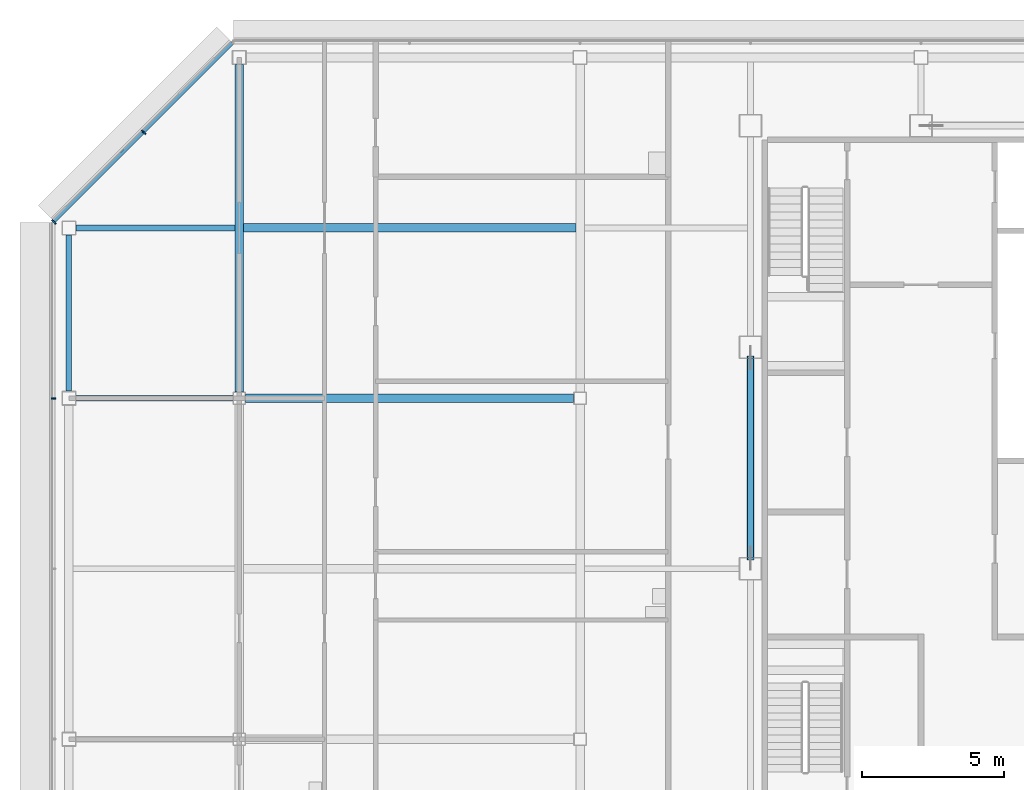
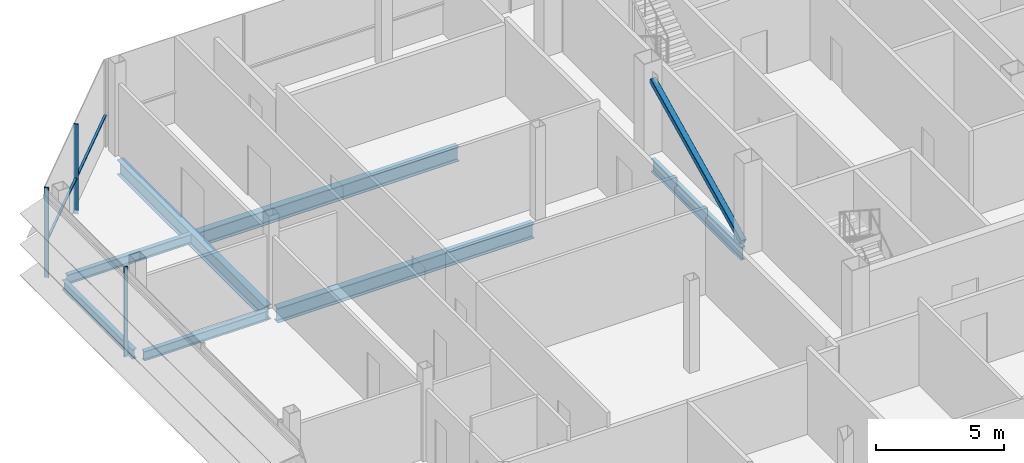
# One storey, part 13 of 29: 7 beams, 5 members, 2 elements without a shape of their own.
"""IFC4 building model written with IfcOpenShell, lengths in metres."""

from ifc_helpers import new_model, si_unit, direction, frame, origin, origin_2d, place, context, subcontext, project, spatial, rectangle, hollow_rectangle, i_section, extrude, material, material_profile, profile_set, type_object, element, aggregate, save


model = new_model("IFC4")

# Units and contexts
model_context = context("Model", 3, precision=1e-05, world=origin(), true_north=direction((0.0, 1.0)))
body_context = subcontext(model_context, "Body", "Model", "MODEL_VIEW")
ifc_project = project(units=[si_unit("LENGTHUNIT", "METRE"), si_unit("AREAUNIT", "SQUARE_METRE"), si_unit("VOLUMEUNIT", "CUBIC_METRE"), si_unit("PLANEANGLEUNIT", "RADIAN"), si_unit("MASSUNIT", "GRAM", prefix="KILO")], contexts=[model_context])

# Site, building, storey
site_placement = place(None, origin())
site = spatial("IfcSite", under=ifc_project, at=site_placement, CompositionType="ELEMENT")
building_placement = place(site_placement, origin())
building = spatial("IfcBuilding", under=site, at=building_placement, Name="Sorahane Residences", CompositionType="ELEMENT")
storey_placement = place(building_placement, frame((0.0, 0.0, 326.800048828125)))
storey = spatial("IfcBuildingStorey", under=building, at=storey_placement, Name="L78", CompositionType="ELEMENT", Elevation=326.800048828125)

# Member
ifc_material_1 = material(Name="Steel Q355B", Category="steel")
ifc_material_profile_1 = material_profile(ifc_material_1, hollow_rectangle(XDim=0.25, YDim=0.25, WallThickness=0.011962890625, InnerFilletRadius=0.006103515625, OuterFilletRadius=0.01806640625, at=origin_2d()), Name="RHS 250x250x12")
ifc_profile_set_1 = profile_set([ifc_material_profile_1], Name="Steel Q355B")
member_type_1 = type_object("IfcMemberType", Name="Core brace RHS 250x250x12 Q355B", PredefinedType="BRACE", material=ifc_profile_set_1)
member_1_placement = place(storey_placement, frame((6.0, 30.3671875, 0.109130859375), z_axis=(0.0, 0.899521071047, 0.436877377238), x_axis=(-1.0, 0.0, 0.0)))
element("IfcMember", 1, at=member_1_placement, inside=storey, type_object=member_type_1, Name="Core brace L78 x6-2", PredefinedType="BRACE", context=body_context, shape_type="SweptSolid", body=[
    extrude(hollow_rectangle(XDim=0.25, YDim=0.25, WallThickness=0.011962890625, InnerFilletRadius=0.006103515625, OuterFilletRadius=0.01806640625, at=origin_2d()), origin(), (0.0, 0.0, 1.0), 7.85498046875),
])

# Curtain wall, member
ifc_material_2 = material(Name="Dark low-e glass and black anodised aluminium", Category="aluminium")
curtain_wall_type_1 = type_object("IfcCurtainWallType", Name="Curtain wall CW-1 Typical unitised wall", PredefinedType="NOTDEFINED", material=ifc_material_2)
curtain_wall_1_placement = place(storey_placement, origin())
curtain_wall_1 = element("IfcCurtainWall", 2, at=curtain_wall_1_placement, inside=storey, type_object=curtain_wall_type_1, Name="CW-1 curtain wall L78 W1", PredefinedType="NOTDEFINED")
ifc_material_3 = material(Name="Black anodised aluminium", Category="aluminium")
ifc_material_profile_2 = material_profile(ifc_material_3, rectangle(XDim=0.159912109375, YDim=0.050048828125, at=origin_2d()), Name="Curtain wall mullion CW-1 black anodised aluminium 50x160")
ifc_profile_set_2 = profile_set([ifc_material_profile_2], Name="Black anodised aluminium")
member_type_2 = type_object("IfcMemberType", Name="Curtain wall mullion CW-1 black anodised aluminium 50x160", PredefinedType="MULLION", material=ifc_profile_set_2)
member_2_placement = place(storey_placement, frame((-18.5400390625, 36.0, -0.179931640625), z_axis=(0.0, 0.0, 1.0), x_axis=(-1.0, 0.0, 0.0)))
member_2 = element("IfcMember", 3, at=member_2_placement, type_object=member_type_2, Name="CW-1 mullion L78 W1.2", PredefinedType="MULLION", context=body_context, shape_type="SweptSolid", body=[
    extrude(rectangle(XDim=0.159912109375, YDim=0.050048828125, at=origin_2d()), origin(), (0.0, 0.0, 1.0), 4.27978515625),
])
aggregate(curtain_wall_1, [member_2])

# Curtain wall, members
ifc_material_4 = material(Name="Dark low-e glass and black anodised aluminium", Category="aluminium")
curtain_wall_type_2 = type_object("IfcCurtainWallType", Name="Curtain wall CW-2 Chamfer unitised wall", PredefinedType="NOTDEFINED", material=ifc_material_4)
curtain_wall_2_placement = place(storey_placement, origin())
curtain_wall_2 = element("IfcCurtainWall", 4, at=curtain_wall_2_placement, inside=storey, type_object=curtain_wall_type_2, Name="CW-2 curtain wall L78 NW1", PredefinedType="NOTDEFINED")
ifc_material_5 = material(Name="Black anodised aluminium", Category="aluminium")
ifc_material_profile_3 = material_profile(ifc_material_5, rectangle(XDim=0.199951171875, YDim=0.050048828125, at=origin_2d()), Name="Curtain wall mullion CW-2 black anodised aluminium 50x200")
ifc_profile_set_3 = profile_set([ifc_material_profile_3], Name="Black anodised aluminium")
member_type_3 = type_object("IfcMemberType", Name="Curtain wall mullion CW-2 black anodised aluminium 50x200", PredefinedType="MULLION", material=ifc_profile_set_3)
member_3_placement = place(storey_placement, frame((-15.36767578125, 45.36767578125, -0.179931640625), z_axis=(0.0, 0.0, 1.0), x_axis=(-0.707106781187, 0.707106781187, 0.0)))
member_3 = element("IfcMember", 5, at=member_3_placement, type_object=member_type_3, Name="CW-2 mullion L78 NW1.2", PredefinedType="MULLION", context=body_context, shape_type="SweptSolid", body=[
    extrude(rectangle(XDim=0.199951171875, YDim=0.050048828125, at=origin_2d()), origin(), (0.0, 0.0, 1.0), 4.27978515625),
])
member_4_placement = place(storey_placement, frame((-18.525634765625, 42.209716796875, -0.179931640625), z_axis=(0.0, 0.0, 1.0), x_axis=(-0.707106781187, 0.707106781187, 0.0)))
member_4 = element("IfcMember", 6, at=member_4_placement, type_object=member_type_3, Name="CW-2 mullion L78 NW1.3", PredefinedType="MULLION", context=body_context, shape_type="SweptSolid", body=[
    extrude(rectangle(XDim=0.199951171875, YDim=0.050048828125, at=origin_2d()), origin(), (0.0, 0.0, 1.0), 4.27978515625),
])
ifc_material_6 = material(Name="Black anodised aluminium", Category="aluminium")
ifc_material_profile_4 = material_profile(ifc_material_6, rectangle(XDim=0.10009765625, YDim=0.06005859375, at=origin_2d()), Name="Curtain wall transom CW-2 black anodised aluminium 60x100")
ifc_profile_set_4 = profile_set([ifc_material_profile_4], Name="Black anodised aluminium")
member_type_4 = type_object("IfcMemberType", Name="Curtain wall transom CW-2 black anodised aluminium 60x100", PredefinedType="USERDEFINED", material=ifc_profile_set_4)
member_5_placement = place(storey_placement, frame((-12.234375, 48.51513671875, 1.5), z_axis=(-0.707106781187, -0.707106781187, 0.0), x_axis=(0.707106781187, -0.707106781187, 0.0)))
member_5 = element("IfcMember", 7, at=member_5_placement, type_object=member_type_4, Name="CW-2 transom L78 NW1", ObjectType="TRANSOM", PredefinedType="USERDEFINED", context=body_context, shape_type="SweptSolid", body=[
    extrude(rectangle(XDim=0.10009765625, YDim=0.06005859375, at=origin_2d()), origin(), (0.0, 0.0, 1.0), 8.88232421875),
])
aggregate(curtain_wall_2, [member_3, member_4, member_5])

# Beams
ifc_material_7 = material(Name="Steel Q355B", Category="steel")
ifc_material_profile_5 = material_profile(ifc_material_7, i_section(OverallWidth=0.199951171875, OverallDepth=0.449951171875, WebThickness=0.009033203125, FlangeThickness=0.013916015625, FilletRadius=0.02001953125, at=origin_2d()), Name="HN 450x200x9x14")
ifc_profile_set_5 = profile_set([ifc_material_profile_5], Name="Steel Q355B")
beam_type_1 = type_object("IfcBeamType", Name="Steel floor beam HN 450x200x9x14 Q355B", PredefinedType="BEAM", material=ifc_profile_set_5)
beam_1_placement = place(storey_placement, frame((-17.75, 36.0, -0.405029296875), z_axis=(1.0, 0.0, 0.0), x_axis=(0.0, 1.0, 0.0)))
element("IfcBeam", 8, at=beam_1_placement, inside=storey, type_object=beam_type_1, Name="Beam L78 013", PredefinedType="BEAM", context=body_context, shape_type="SweptSolid", body=[
    extrude(i_section(OverallWidth=0.199951171875, OverallDepth=0.449951171875, WebThickness=0.009033203125, FlangeThickness=0.013916015625, FilletRadius=0.02001953125, at=origin_2d()), origin(), (0.0, 0.0, 1.0), 5.52490234375),
])
beam_2_placement = place(storey_placement, frame((-18.0, 36.25, -0.405029296875), z_axis=(0.0, 1.0, 0.0), x_axis=(-1.0, 0.0, 0.0)))
element("IfcBeam", 9, at=beam_2_placement, inside=storey, type_object=beam_type_1, Name="Beam L78 023", PredefinedType="BEAM", context=body_context, shape_type="SweptSolid", body=[
    extrude(i_section(OverallWidth=0.199951171875, OverallDepth=0.449951171875, WebThickness=0.009033203125, FlangeThickness=0.013916015625, FilletRadius=0.02001953125, at=origin_2d()), origin(), (0.0, 0.0, 1.0), 5.5),
])
beam_3_placement = place(storey_placement, frame((-17.75, 42.0, -0.405029296875), z_axis=(1.0, 0.0, 0.0), x_axis=(0.0, 1.0, 0.0)))
element("IfcBeam", 10, at=beam_3_placement, inside=storey, type_object=beam_type_1, Name="Beam L78 087", PredefinedType="BEAM", context=body_context, shape_type="SweptSolid", body=[
    extrude(i_section(OverallWidth=0.199951171875, OverallDepth=0.449951171875, WebThickness=0.009033203125, FlangeThickness=0.013916015625, FilletRadius=0.02001953125, at=origin_2d()), origin(), (0.0, 0.0, 1.0), 5.60009765625),
])
ifc_material_8 = material(Name="Steel Q355B", Category="steel")
ifc_material_profile_6 = material_profile(ifc_material_8, i_section(OverallWidth=0.199951171875, OverallDepth=0.60009765625, WebThickness=0.010986328125, FlangeThickness=0.01708984375, FilletRadius=0.02392578125, at=origin_2d()), Name="HN 600x200x11x17")
ifc_profile_set_6 = profile_set([ifc_material_profile_6], Name="Steel Q355B")
beam_type_2 = type_object("IfcBeamType", Name="Steel floor beam HN 600x200x11x17 Q355B", PredefinedType="BEAM", material=ifc_profile_set_6)
beam_4_placement = place(storey_placement, frame((6.0, 30.39990234375, -0.47998046875), z_axis=(0.0, 1.0, 0.0), x_axis=(-1.0, 0.0, 0.0)))
element("IfcBeam", 11, at=beam_4_placement, inside=storey, type_object=beam_type_2, Name="Beam L78 035", PredefinedType="BEAM", context=body_context, shape_type="SweptSolid", body=[
    extrude(i_section(OverallWidth=0.199951171875, OverallDepth=0.60009765625, WebThickness=0.010986328125, FlangeThickness=0.01708984375, FilletRadius=0.02392578125, at=origin_2d()), origin(), (0.0, 0.0, 1.0), 7.0),
])
ifc_material_9 = material(Name="Steel Q355B", Category="steel")
ifc_material_profile_7 = material_profile(ifc_material_9, i_section(OverallWidth=0.300048828125, OverallDepth=0.699951171875, WebThickness=0.012939453125, FlangeThickness=0.02392578125, FilletRadius=0.028076171875, at=origin_2d()), Name="HN 700x300x13x24")
ifc_profile_set_7 = profile_set([ifc_material_profile_7], Name="Steel Q355B")
beam_type_3 = type_object("IfcBeamType", Name="Steel floor beam HN 700x300x13x24 Q355B", PredefinedType="BEAM", material=ifc_profile_set_7)
beam_5_placement = place(storey_placement, frame((-11.77490234375, 36.0, -0.530029296875), z_axis=(1.0, 0.0, 0.0), x_axis=(0.0, 1.0, 0.0)))
element("IfcBeam", 12, at=beam_5_placement, inside=storey, type_object=beam_type_3, Name="Beam L78 014", PredefinedType="BEAM", context=body_context, shape_type="SweptSolid", body=[
    extrude(i_section(OverallWidth=0.300048828125, OverallDepth=0.699951171875, WebThickness=0.012939453125, FlangeThickness=0.02392578125, FilletRadius=0.028076171875, at=origin_2d()), origin(), (0.0, 0.0, 1.0), 11.5498046875),
])
beam_6_placement = place(storey_placement, frame((-12.0, 36.22509765625, -0.530029296875), z_axis=(0.0, 1.0, 0.0), x_axis=(-1.0, 0.0, 0.0)))
element("IfcBeam", 13, at=beam_6_placement, inside=storey, type_object=beam_type_3, Name="Beam L78 027", PredefinedType="BEAM", context=body_context, shape_type="SweptSolid", body=[
    extrude(i_section(OverallWidth=0.300048828125, OverallDepth=0.699951171875, WebThickness=0.012939453125, FlangeThickness=0.02392578125, FilletRadius=0.028076171875, at=origin_2d()), origin(), (0.0, 0.0, 1.0), 11.52490234375),
])
beam_7_placement = place(storey_placement, frame((-11.85009765625, 42.0, -0.530029296875), z_axis=(1.0, 0.0, 0.0), x_axis=(0.0, 1.0, 0.0)))
element("IfcBeam", 14, at=beam_7_placement, inside=storey, type_object=beam_type_3, Name="Beam L78 088", PredefinedType="BEAM", context=body_context, shape_type="SweptSolid", body=[
    extrude(i_section(OverallWidth=0.300048828125, OverallDepth=0.699951171875, WebThickness=0.012939453125, FlangeThickness=0.02392578125, FilletRadius=0.028076171875, at=origin_2d()), origin(), (0.0, 0.0, 1.0), 11.7001953125),
])

save(model, "model.ifc")
